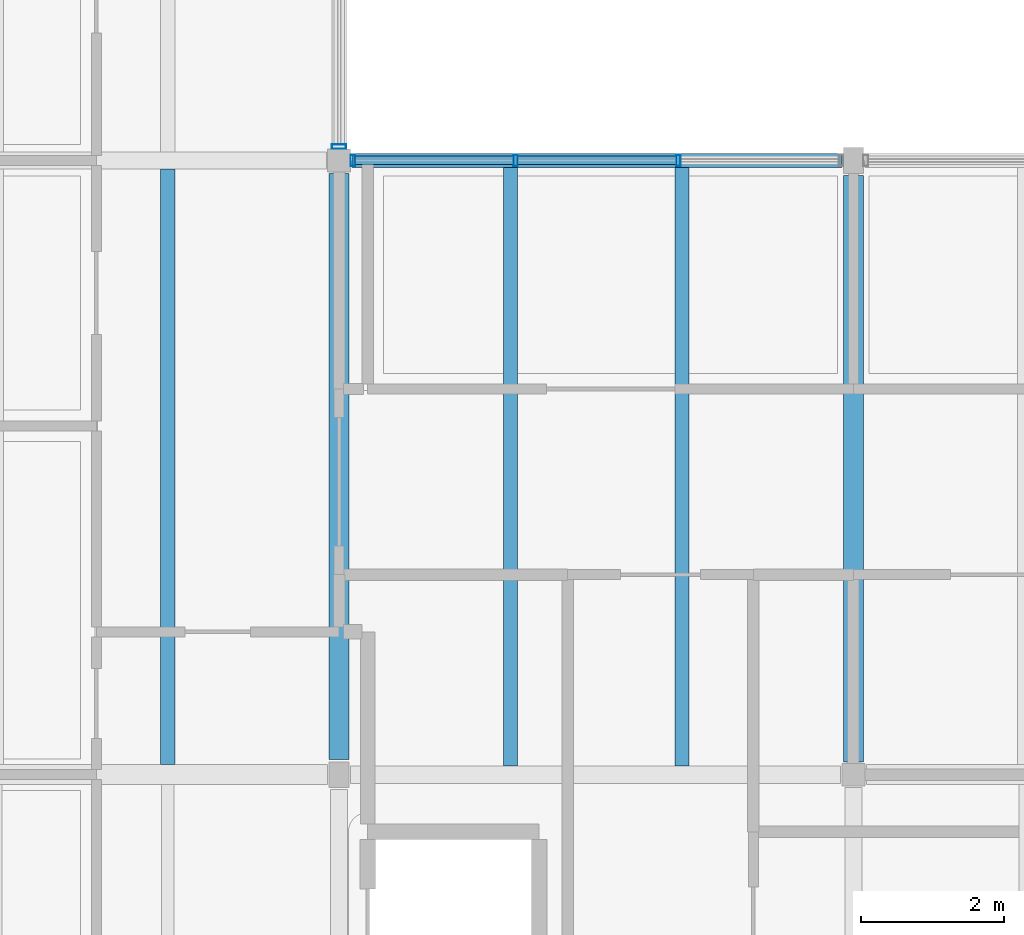
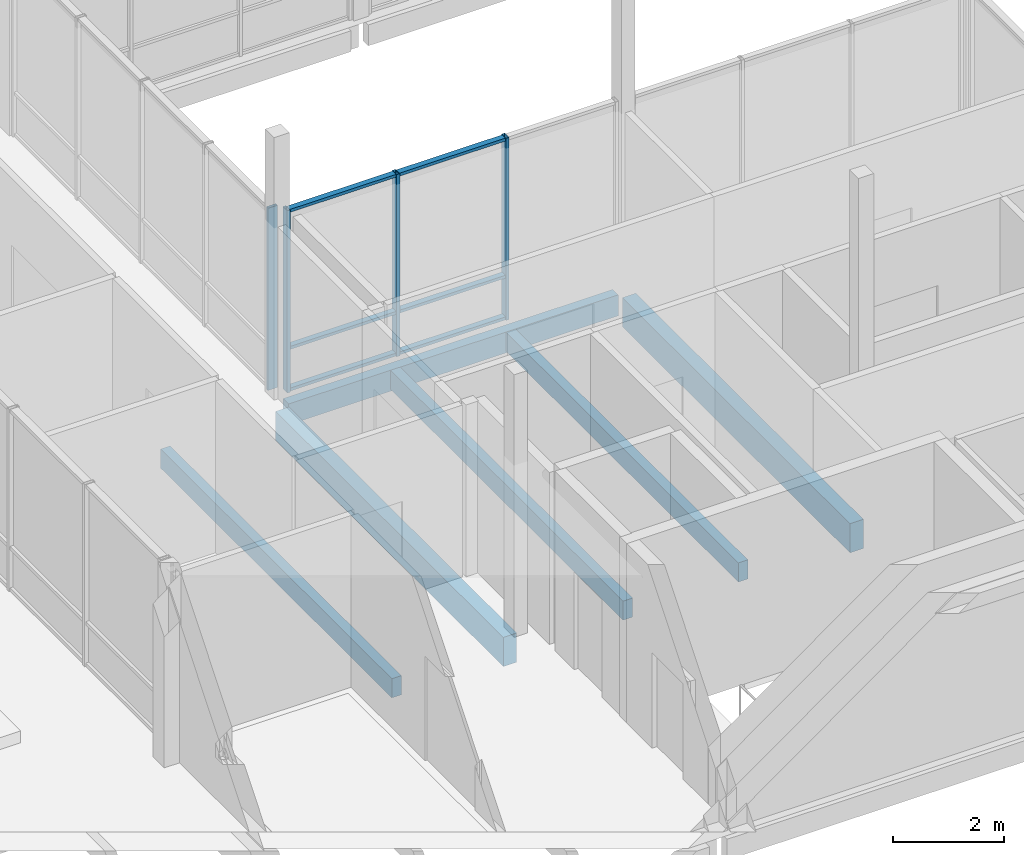
# One storey, part 53 of 115: 10 members, 6 beams, 2 elements without a shape of their own.
"""IFC4 building model written with IfcOpenShell, lengths in metres."""

import ifcopenshell
import ifcopenshell.guid

model = None  # the IFC model being written
_history = None  # IfcOwnerHistory: only IFC2X3 demands one
_inside = {}  # id of a spatial element -> (the spatial element, [elements in it])
_under = {}  # id of a project, library or spatial element -> (it, [spatial elements below it])
_declared = {}  # id of a project -> (the project, [libraries it declares])
_typed = {}  # id of a type object -> (the type object, [elements of that type])
_made_of = {}  # id of a material, layer set ... -> (it, [elements and type objects made of it])


def new_model(schema):
    """Start an empty IFC model of exactly this schema.

    Asked for "IFC4X3", IfcOpenShell would pick the latest addendum, in which some entities
    have other attributes; the version numbers below select the first issue.
    IFC2X3 requires an IfcOwnerHistory on every rooted entity: one is made here for all.
    """
    global model, _history
    if schema == "IFC4X3":
        model = ifcopenshell.file(schema_version=(4, 3, 0, 0))
    else:
        model = ifcopenshell.file(schema=schema)
    _inside.clear()
    _under.clear()
    _declared.clear()
    _typed.clear()
    _made_of.clear()
    _history = None
    if model.schema == "IFC2X3":
        org = make("IfcOrganization", Name="unknown")
        user = make(
            "IfcPersonAndOrganization",
            ThePerson=make("IfcPerson", FamilyName="unknown"),
            TheOrganization=org,
        )
        app = make(
            "IfcApplication",
            ApplicationDeveloper=org,
            Version="unknown",
            ApplicationFullName="unknown",
            ApplicationIdentifier="unknown",
        )
        _history = make(
            "IfcOwnerHistory",
            OwningUser=user,
            OwningApplication=app,
            ChangeAction="ADDED",
            CreationDate=0,
        )
    return model


def make(cls, **values):
    """One entity of the class cls with the attributes given. An attribute that is None is left unset."""
    return model.create_entity(
        cls, **{name: value for name, value in values.items() if value is not None}
    )


def rooted(cls, **values):
    """An entity with a GlobalId (a new one), such as an element, a storey or a relation."""
    return make(cls, GlobalId=ifcopenshell.guid.new(), OwnerHistory=_history, **values)


def si_unit(unit_type, name, prefix=None):
    """IfcSIUnit, for example si_unit("LENGTHUNIT", "METRE", prefix="MILLI")."""
    return make("IfcSIUnit", UnitType=unit_type, Prefix=prefix, Name=name)


def assignment(units):
    """IfcUnitAssignment: the units of a project."""
    return None if units is None else make("IfcUnitAssignment", Units=units)


def point(xyz):
    """IfcCartesianPoint."""
    return None if xyz is None else make("IfcCartesianPoint", Coordinates=xyz)


def direction(xyz):
    """IfcDirection."""
    return None if xyz is None else make("IfcDirection", DirectionRatios=xyz)


def frame(location, z_axis=None, x_axis=None):
    """IfcAxis2Placement3D, a coordinate frame: its origin and axes. An axis left out is left unset."""
    return make(
        "IfcAxis2Placement3D",
        Location=point(location),
        Axis=direction(z_axis),
        RefDirection=direction(x_axis),
    )


def frame_2d(location, x_axis=None):
    """IfcAxis2Placement2D, a coordinate frame in the plane: its origin and x axis."""
    return make(
        "IfcAxis2Placement2D", Location=point(location), RefDirection=direction(x_axis)
    )


def origin():
    """The frame at (0, 0, 0) with its axes left unset."""
    return frame((0.0, 0.0, 0.0))


def origin_2d():
    """The frame at (0, 0) in the plane with its x axis left unset."""
    return frame_2d((0.0, 0.0))


def place(relative_to, where):
    """IfcLocalPlacement: puts the frame where relative to a parent placement (None: the world)."""
    return make(
        "IfcLocalPlacement", PlacementRelTo=relative_to, RelativePlacement=where
    )


def context(
    kind, dimensions, precision=None, world=None, true_north=None, identifier=None
):
    """IfcGeometricRepresentationContext, for example the 3D "Model" context."""
    return make(
        "IfcGeometricRepresentationContext",
        ContextIdentifier=identifier,
        ContextType=kind,
        CoordinateSpaceDimension=dimensions,
        Precision=precision,
        WorldCoordinateSystem=world,
        TrueNorth=true_north,
    )


def subcontext(parent, identifier, kind, view, scale=None):
    """IfcGeometricRepresentationSubContext, for example "Body" below "Model"."""
    return make(
        "IfcGeometricRepresentationSubContext",
        ContextIdentifier=identifier,
        ContextType=kind,
        ParentContext=parent,
        TargetScale=scale,
        TargetView=view,
    )


def project(units=None, contexts=None):
    """IfcProject with its units and contexts."""
    return rooted(
        "IfcProject",
        Name="project",
        RepresentationContexts=contexts,
        UnitsInContext=assignment(units),
    )


def spatial(cls, under=None, at=None, **own):
    """A site, building, storey or space (cls), placed at a placement, below another one or the project."""
    s = rooted(cls, ObjectPlacement=at, **own)
    if under is not None:
        _under.setdefault(under.id(), (under, []))[1].append(s)
    return s


def profile(cls, at=None, kind="AREA", **sizes):
    """A parametric profile (cls). Its sizes go by their IFC names, for example OverallWidth=200.0."""
    return make(cls, ProfileType=kind, Position=at, **sizes)


def rectangle(**sizes):
    """IfcRectangleProfileDef."""
    return profile("IfcRectangleProfileDef", **sizes)


def hollow_rectangle(**sizes):
    """IfcRectangleHollowProfileDef."""
    return profile("IfcRectangleHollowProfileDef", **sizes)


def extrude(swept, where, along, depth):
    """IfcExtrudedAreaSolid: the profile swept, set in the frame where, extruded along a direction by depth."""
    return make(
        "IfcExtrudedAreaSolid",
        SweptArea=swept,
        Position=where,
        ExtrudedDirection=direction(along),
        Depth=depth,
    )


def shape(context_of_items, identifier, shape_type, items):
    """IfcShapeRepresentation: the items that make up one representation, for example the "Body"."""
    return make(
        "IfcShapeRepresentation",
        ContextOfItems=context_of_items,
        RepresentationIdentifier=identifier,
        RepresentationType=shape_type,
        Items=items,
    )


def material(Name=None, Category=None):
    """IfcMaterial."""
    return make("IfcMaterial", Name=Name, Category=Category)


def material_profile(
    of_material, cross_section, Name=None, Category=None, Priority=None
):
    """IfcMaterialProfile: a cross section and its material."""
    return make(
        "IfcMaterialProfile",
        Name=Name,
        Material=of_material,
        Profile=cross_section,
        Priority=Priority,
        Category=Category,
    )


def profile_set(profiles, Name=None, composite=None):
    """IfcMaterialProfileSet."""
    return make(
        "IfcMaterialProfileSet",
        Name=Name,
        MaterialProfiles=profiles,
        CompositeProfile=composite,
    )


def made_of(thing, what):
    """Note that an element or type object is made of a material, layer set ...; save() writes the relation."""
    if what is not None:
        _made_of.setdefault(what.id(), (what, []))[1].append(thing)
    return thing


def type_object(cls, material=None, **own):
    """A type object (cls), such as IfcWallType, which elements share."""
    return made_of(rooted(cls, **own), material)


def element(
    cls,
    number,
    at=None,
    inside=None,
    cuts=None,
    type_object=None,
    material=None,
    context=None,
    identifier="Body",
    shape_type=None,
    held_by="IfcProductDefinitionShape",
    body=None,
    shapes=None,
    **own,
):
    """One element of the class cls, such as IfcWall. Its Tag is "e" and its number.

    at: its placement. inside: the storey or other place that contains it. cuts: it is an
    opening in that element (IfcRelVoidsElement). A single representation is given by context,
    identifier, shape_type and body (its items); several are given by shapes. held_by: the class
    of the entity that holds the representations. save() writes the other relations.
    """
    e = rooted(cls, Tag="e%d" % number, ObjectPlacement=at, **own)
    if body is not None:
        shapes = [shape(context, identifier, shape_type, body)]
    if shapes is not None:
        e.Representation = make(held_by, Representations=shapes)
    if inside is not None:
        _inside.setdefault(inside.id(), (inside, []))[1].append(e)
    if cuts is not None:
        rooted(
            "IfcRelVoidsElement", RelatingBuildingElement=cuts, RelatedOpeningElement=e
        )
    if type_object is not None:
        _typed.setdefault(type_object.id(), (type_object, []))[1].append(e)
    return made_of(e, material)


def aggregate(whole, parts):
    """IfcRelAggregates: a whole, such as a stair, and the parts it consists of."""
    return rooted("IfcRelAggregates", RelatingObject=whole, RelatedObjects=parts)


def save(model, path):
    """Write the relations noted so far, then the file.

    IfcRelAggregates (storeys below a building ...), IfcRelContainedInSpatialStructure (elements
    in a storey), IfcRelDefinesByType, IfcRelAssociatesMaterial and IfcRelDeclares: one each for
    every whole, place, type object, material and project.
    """
    for whole, parts in _under.values():
        aggregate(whole, parts)
    for where, things in _inside.values():
        rooted(
            "IfcRelContainedInSpatialStructure",
            RelatedElements=things,
            RelatingStructure=where,
        )
    for kind, things in _typed.values():
        rooted("IfcRelDefinesByType", RelatedObjects=things, RelatingType=kind)
    for what, things in _made_of.values():
        rooted("IfcRelAssociatesMaterial", RelatedObjects=things, RelatingMaterial=what)
    for by, libraries in _declared.values():
        rooted("IfcRelDeclares", RelatingContext=by, RelatedDefinitions=libraries)
    model.write(path)


model = new_model("IFC4")

# Units and contexts
model_context = context("Model", 3, precision=1e-05, world=origin(), true_north=direction((0.0, 1.0)))
body_context = subcontext(model_context, "Body", "Model", "MODEL_VIEW")
ifc_project = project(units=[si_unit("LENGTHUNIT", "METRE"), si_unit("AREAUNIT", "SQUARE_METRE"), si_unit("VOLUMEUNIT", "CUBIC_METRE"), si_unit("PLANEANGLEUNIT", "RADIAN"), si_unit("MASSUNIT", "GRAM", prefix="KILO")], contexts=[model_context])

# Site, building, storey
site_placement = place(None, origin())
site = spatial("IfcSite", under=ifc_project, at=site_placement, CompositionType="ELEMENT")
building_placement = place(site_placement, origin())
building = spatial("IfcBuilding", under=site, at=building_placement, Name="Hawrajan Terrace Health Centre", CompositionType="ELEMENT")
storey_placement = place(building_placement, frame((0.0, 0.0, 9.0)))
storey = spatial("IfcBuildingStorey", under=building, at=storey_placement, Name="L02", CompositionType="ELEMENT", Elevation=9.0)

# Curtain wall, members
ifc_material_1 = material(Name="Anodized bronze aluminium and low-E solar glazing", Category="aluminium")
curtain_wall_type_1 = type_object("IfcCurtainWallType", Name="CW_Court_SeriesB3", PredefinedType="USERDEFINED", material=ifc_material_1)
curtain_wall_1_placement = place(storey_placement, origin())
curtain_wall_1 = element("IfcCurtainWall", 1, at=curtain_wall_1_placement, inside=storey, type_object=curtain_wall_type_1, Name="Curtain wall CW-L02-150", ObjectType="UNITISED CURTAIN WALL", PredefinedType="USERDEFINED")
ifc_material_2 = material(Name="Anodized bronze aluminium 6063-T6", Category="aluminium")
ifc_material_profile_1 = material_profile(ifc_material_2, hollow_rectangle(XDim=0.06494140625, YDim=0.159912109375, WallThickness=0.00390625, at=origin_2d()), Name="CW MUL 65x160")
ifc_profile_set_1 = profile_set([ifc_material_profile_1], Name="Anodized bronze aluminium 6063-T6")
member_type_1 = type_object("IfcMemberType", Name="CWMullion_65x160", PredefinedType="MULLION", material=ifc_profile_set_1)
member_1_placement = place(storey_placement, frame((151.1923828125, 27.199951171875, -0.0048828125), z_axis=(0.0, 0.0, 1.0), x_axis=(1.0, 0.0, 0.0)))
member_1 = element("IfcMember", 2, at=member_1_placement, type_object=member_type_1, Name="Mullion CW-L02-150-M1", PredefinedType="MULLION", context=body_context, shape_type="SweptSolid", body=[
    extrude(hollow_rectangle(XDim=0.06494140625, YDim=0.159912109375, WallThickness=0.00390625, at=origin_2d()), origin(), (0.0, 0.0, 1.0), 4.009765625),
])
member_2_placement = place(storey_placement, frame((153.470703125, 27.199951171875, -0.0048828125), z_axis=(0.0, 0.0, 1.0), x_axis=(1.0, 0.0, 0.0)))
member_2 = element("IfcMember", 3, at=member_2_placement, type_object=member_type_1, Name="Mullion CW-L02-150-M2", PredefinedType="MULLION", context=body_context, shape_type="SweptSolid", body=[
    extrude(hollow_rectangle(XDim=0.06494140625, YDim=0.159912109375, WallThickness=0.00390625, at=origin_2d()), origin(), (0.0, 0.0, 1.0), 4.009765625),
])
member_3_placement = place(storey_placement, frame((155.749267578125, 27.199951171875, -0.0048828125), z_axis=(0.0, 0.0, 1.0), x_axis=(1.0, 0.0, 0.0)))
member_3 = element("IfcMember", 4, at=member_3_placement, type_object=member_type_1, Name="Mullion CW-L02-150-M3", PredefinedType="MULLION", context=body_context, shape_type="SweptSolid", body=[
    extrude(hollow_rectangle(XDim=0.06494140625, YDim=0.159912109375, WallThickness=0.00390625, at=origin_2d()), origin(), (0.0, 0.0, 1.0), 4.009765625),
])

# Curtain wall, member
curtain_wall_type_2 = type_object("IfcCurtainWallType", Name="CW_Court_SeriesB1", PredefinedType="USERDEFINED", material=ifc_material_1)
curtain_wall_2_placement = place(storey_placement, origin())
curtain_wall_2 = element("IfcCurtainWall", 5, at=curtain_wall_2_placement, inside=storey, type_object=curtain_wall_type_2, Name="Curtain wall CW-L02-148", ObjectType="UNITISED CURTAIN WALL", PredefinedType="USERDEFINED")
ifc_material_profile_2 = material_profile(ifc_material_2, hollow_rectangle(XDim=0.06494140625, YDim=0.199951171875, WallThickness=0.00439453125, at=origin_2d()), Name="CW MUL 65x200")
ifc_profile_set_2 = profile_set([ifc_material_profile_2], Name="Anodized bronze aluminium 6063-T6")
member_type_2 = type_object("IfcMemberType", Name="CWMullion_65x200", PredefinedType="MULLION", material=ifc_profile_set_2)
member_4_placement = place(storey_placement, frame((151.0, 27.392578125, -0.0048828125), z_axis=(0.0, 0.0, 1.0), x_axis=(0.0, 1.0, 0.0)))
member_4 = element("IfcMember", 6, at=member_4_placement, type_object=member_type_2, Name="Mullion CW-L02-148-M1", PredefinedType="MULLION", context=body_context, shape_type="SweptSolid", body=[
    extrude(hollow_rectangle(XDim=0.06494140625, YDim=0.199951171875, WallThickness=0.00439453125, at=origin_2d()), origin(), (0.0, 0.0, 1.0), 4.009765625),
])
aggregate(curtain_wall_2, [member_4])

# Member
ifc_material_profile_3 = material_profile(ifc_material_2, hollow_rectangle(XDim=0.06494140625, YDim=0.1201171875, WallThickness=0.00341796875, at=origin_2d()), Name="CW TRN 65x120")
ifc_profile_set_3 = profile_set([ifc_material_profile_3], Name="Anodized bronze aluminium 6063-T6")
member_type_3 = type_object("IfcMemberType", Name="CWTransom_65x120", PredefinedType="USERDEFINED", material=ifc_profile_set_3)
member_5_placement = place(storey_placement, frame((151.218994140625, 27.199951171875, 0.032470703125), z_axis=(1.0, 0.0, 0.0), x_axis=(0.0, 0.0, 1.0)))
member_5 = element("IfcMember", 7, at=member_5_placement, type_object=member_type_3, Name="Transom CW-L02-150-T1-1", ObjectType="TRANSOM", PredefinedType="USERDEFINED", context=body_context, shape_type="SweptSolid", body=[
    extrude(hollow_rectangle(XDim=0.06494140625, YDim=0.1201171875, WallThickness=0.00341796875, at=origin_2d()), origin(), (0.0, 0.0, 1.0), 2.225341796875),
])

member_6_placement = place(storey_placement, frame((151.218994140625, 27.199951171875, 0.949951171875), z_axis=(1.0, 0.0, 0.0), x_axis=(0.0, 0.0, 1.0)))
member_6 = element("IfcMember", 8, at=member_6_placement, type_object=member_type_3, Name="Transom CW-L02-150-T1-2", ObjectType="TRANSOM", PredefinedType="USERDEFINED", context=body_context, shape_type="SweptSolid", body=[
    extrude(hollow_rectangle(XDim=0.06494140625, YDim=0.1201171875, WallThickness=0.00341796875, at=origin_2d()), origin(), (0.0, 0.0, 1.0), 2.225341796875),
])

member_7_placement = place(storey_placement, frame((151.218994140625, 27.199951171875, 3.967529296875), z_axis=(1.0, 0.0, 0.0), x_axis=(0.0, 0.0, 1.0)))
member_7 = element("IfcMember", 9, at=member_7_placement, type_object=member_type_3, Name="Transom CW-L02-150-T1-3", ObjectType="TRANSOM", PredefinedType="USERDEFINED", context=body_context, shape_type="SweptSolid", body=[
    extrude(hollow_rectangle(XDim=0.06494140625, YDim=0.1201171875, WallThickness=0.00341796875, at=origin_2d()), origin(), (0.0, 0.0, 1.0), 2.225341796875),
])

member_8_placement = place(storey_placement, frame((153.497314453125, 27.199951171875, 0.032470703125), z_axis=(1.0, 0.0, 0.0), x_axis=(0.0, 0.0, 1.0)))
member_8 = element("IfcMember", 10, at=member_8_placement, type_object=member_type_3, Name="Transom CW-L02-150-T2-1", ObjectType="TRANSOM", PredefinedType="USERDEFINED", context=body_context, shape_type="SweptSolid", body=[
    extrude(hollow_rectangle(XDim=0.06494140625, YDim=0.1201171875, WallThickness=0.00341796875, at=origin_2d()), origin(), (0.0, 0.0, 1.0), 2.225341796875),
])

member_9_placement = place(storey_placement, frame((153.497314453125, 27.199951171875, 0.949951171875), z_axis=(1.0, 0.0, 0.0), x_axis=(0.0, 0.0, 1.0)))
member_9 = element("IfcMember", 11, at=member_9_placement, type_object=member_type_3, Name="Transom CW-L02-150-T2-2", ObjectType="TRANSOM", PredefinedType="USERDEFINED", context=body_context, shape_type="SweptSolid", body=[
    extrude(hollow_rectangle(XDim=0.06494140625, YDim=0.1201171875, WallThickness=0.00341796875, at=origin_2d()), origin(), (0.0, 0.0, 1.0), 2.225341796875),
])

member_10_placement = place(storey_placement, frame((153.497314453125, 27.199951171875, 3.967529296875), z_axis=(1.0, 0.0, 0.0), x_axis=(0.0, 0.0, 1.0)))
member_10 = element("IfcMember", 12, at=member_10_placement, type_object=member_type_3, Name="Transom CW-L02-150-T2-3", ObjectType="TRANSOM", PredefinedType="USERDEFINED", context=body_context, shape_type="SweptSolid", body=[
    extrude(hollow_rectangle(XDim=0.06494140625, YDim=0.1201171875, WallThickness=0.00341796875, at=origin_2d()), origin(), (0.0, 0.0, 1.0), 2.225341796875),
])

aggregate(curtain_wall_1, [member_1, member_2, member_3, member_5, member_6, member_7, member_8, member_9, member_10])

# Beams
ifc_material_3 = material(Name="Glulam GL32h", Category="wood")
ifc_material_profile_4 = material_profile(ifc_material_3, rectangle(XDim=0.280029296875, YDim=0.639892578125, at=origin_2d()), Name="GL BM 280x640")
ifc_profile_set_4 = profile_set([ifc_material_profile_4], Name="Glulam GL32h")
beam_type_1 = type_object("IfcBeamType", Name="GlulamGirder_280x640", PredefinedType="BEAM", material=ifc_profile_set_4)
for number, where, z_axis, x_axis, name in (
    (13, (151.0, 18.81005859375, -0.56005859375), (0.0, 1.0, 0.0), (-1.0, 0.0, 0.0), "Beam BM-Y-L02-E-X20-3"),
    (14, (158.199951171875, 18.780029296875, -0.56005859375), (0.0, 1.0, 0.0), (-1.0, 0.0, 0.0), "Beam BM-Y-L02-E-X21-3"),
):
    element("IfcBeam", number, at=place(storey_placement, frame(where, z_axis=z_axis, x_axis=x_axis)), inside=storey, type_object=beam_type_1, Name=name, PredefinedType="BEAM", context=body_context, shape_type="SweptSolid", body=[
        extrude(rectangle(XDim=0.280029296875, YDim=0.639892578125, at=origin_2d()), origin(), (0.0, 0.0, 1.0), 8.2099609375),
    ])
ifc_material_4 = material(Name="Glulam GL28h", Category="wood")
ifc_material_profile_5 = material_profile(ifc_material_4, rectangle(XDim=0.199951171875, YDim=0.419921875, at=origin_2d()), Name="GL JST 200x420")
ifc_profile_set_5 = profile_set([ifc_material_profile_5], Name="Glulam GL28h")
beam_type_2 = type_object("IfcBeamType", Name="GlulamJoist_200x420", PredefinedType="JOIST", material=ifc_profile_set_5)
beam_1_placement = place(storey_placement, frame((148.60009765625, 18.739990234375, -0.489990234375), z_axis=(0.0, 1.0, 0.0), x_axis=(-1.0, 0.0, 0.0)))
element("IfcBeam", 15, at=beam_1_placement, inside=storey, type_object=beam_type_2, Name="Secondary joist JST-L02-E-19-3-2", PredefinedType="JOIST", context=body_context, shape_type="SweptSolid", body=[
    extrude(rectangle(XDim=0.199951171875, YDim=0.419921875, at=origin_2d()), origin(), (0.0, 0.0, 1.0), 8.340087890625),
])
for number, where, z_axis, x_axis, name in (
    (16, (153.39990234375, 18.719970703125, -0.449951171875), (0.0, 1.0, 0.0), (-1.0, 0.0, 0.0), "Secondary joist JST-L02-E-20-3-1"),
    (17, (155.800048828125, 18.719970703125, -0.449951171875), (0.0, 1.0, 0.0), (-1.0, 0.0, 0.0), "Secondary joist JST-L02-E-20-3-2"),
):
    element("IfcBeam", number, at=place(storey_placement, frame(where, z_axis=z_axis, x_axis=x_axis)), inside=storey, type_object=beam_type_2, Name=name, PredefinedType="JOIST", context=body_context, shape_type="SweptSolid", body=[
        extrude(rectangle(XDim=0.199951171875, YDim=0.419921875, at=origin_2d()), origin(), (0.0, 0.0, 1.0), 8.380126953125),
    ])
ifc_material_profile_6 = material_profile(ifc_material_3, rectangle(XDim=0.199951171875, YDim=0.4599609375, at=origin_2d()), Name="GL SP 200x460")
ifc_profile_set_6 = profile_set([ifc_material_profile_6], Name="Glulam GL32h")
beam_type_3 = type_object("IfcBeamType", Name="GlulamSpandrel_200x460", PredefinedType="SPANDREL", material=ifc_profile_set_6)
beam_2_placement = place(storey_placement, frame((151.179931640625, 27.199951171875, -0.469970703125), z_axis=(1.0, 0.0, 0.0), x_axis=(0.0, 1.0, 0.0)))
element("IfcBeam", 18, at=beam_2_placement, inside=storey, type_object=beam_type_3, Name="Beam BM-X-L02-E-20-Y4", PredefinedType="SPANDREL", context=body_context, shape_type="SweptSolid", body=[
    extrude(rectangle(XDim=0.199951171875, YDim=0.4599609375, at=origin_2d()), origin(), (0.0, 0.0, 1.0), 6.860107421875),
])

save(model, "model.ifc")
